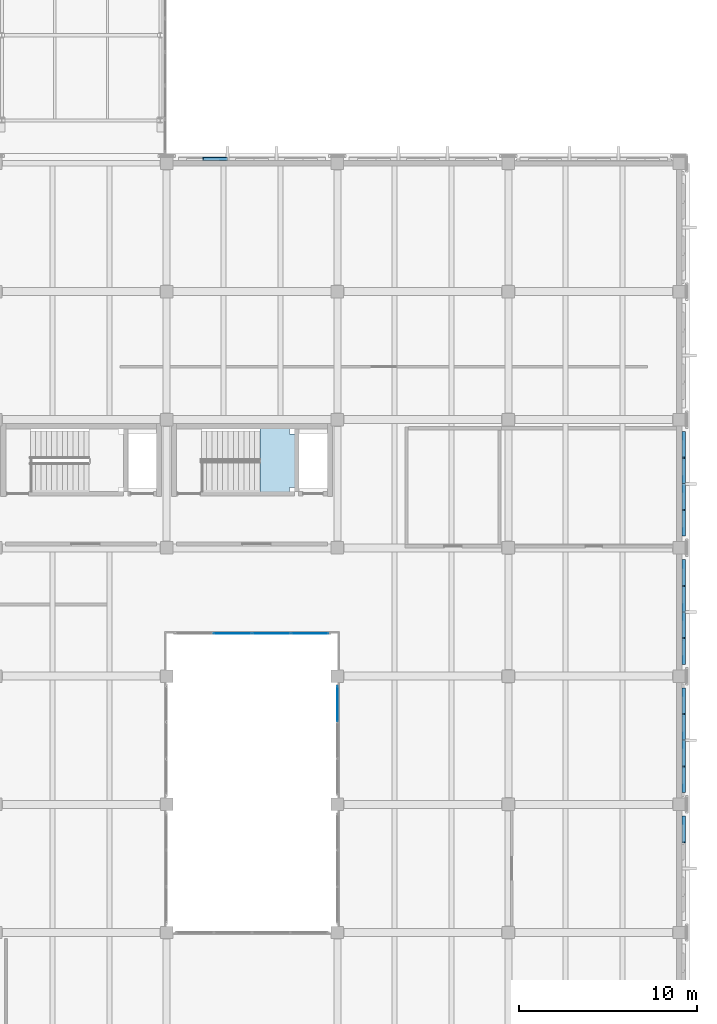
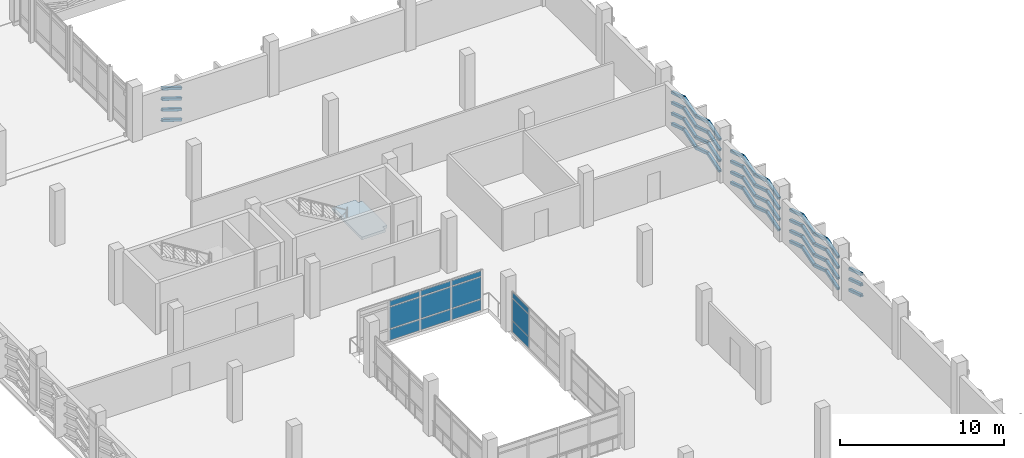
# One storey, part 146 of 180: 67 plates, 1 slab, 3 elements without a shape of their own.
"""IFC4 building model written with IfcOpenShell, lengths in metres."""

from ifc_helpers import new_model, si_unit, direction, frame, origin, origin_2d, place, context, subcontext, project, spatial, polyline, rectangle, hollow_rectangle, outline, extrude, material, layer, layer_set, material_profile, profile_set, type_object, element, aggregate, save


model = new_model("IFC4")

# Units and contexts
model_context = context("Model", 3, precision=1e-05, world=origin(), true_north=direction((0.0, 1.0)))
body_context = subcontext(model_context, "Body", "Model", "MODEL_VIEW")
ifc_project = project(units=[si_unit("LENGTHUNIT", "METRE"), si_unit("AREAUNIT", "SQUARE_METRE"), si_unit("VOLUMEUNIT", "CUBIC_METRE"), si_unit("PLANEANGLEUNIT", "RADIAN"), si_unit("MASSUNIT", "GRAM", prefix="KILO")], contexts=[model_context])

# Site, building, storey
site_placement = place(None, origin())
site = spatial("IfcSite", under=ifc_project, at=site_placement, CompositionType="ELEMENT")
building_placement = place(site_placement, origin())
building = spatial("IfcBuilding", under=site, at=building_placement, Name="Asteropetra Specialist Clinic", CompositionType="ELEMENT")
storey_placement = place(building_placement, frame((0.0, 0.0, 4.419921875)))
storey = spatial("IfcBuildingStorey", under=building, at=storey_placement, Name="L01", CompositionType="ELEMENT", Elevation=4.419921875)

# Plates
ifc_material_1 = material(Name="Chevron emerald aluminium 6063-T6", Category="aluminium")
ifc_material_profile = material_profile(ifc_material_1, hollow_rectangle(XDim=0.199951171875, YDim=0.199951171875, WallThickness=0.010009765625, InnerFilletRadius=0.008056640625, OuterFilletRadius=0.01611328125, at=origin_2d()), Name="SHS 200x200x10.0")
ifc_profile_set = profile_set([ifc_material_profile], Name="Chevron emerald aluminium 6063-T6")
plate_type_1 = type_object("IfcPlateType", Name="CHV-RIB-200", PredefinedType="SHEET", material=ifc_profile_set)
for number, where, z_axis, x_axis, name in (
    (1, (128.203369140625, 62.6494140625, 0.050048828125), (-0.952436086829, 0.0, 0.304738413241), (0.0, -1.0, 0.0), "Chevron Facade Screen Fin CVR-2088"),
    (2, (128.203369140625, 62.6494140625, 0.820068359375), (-0.952436086829, 0.0, 0.304738413241), (0.0, -1.0, 0.0), "Chevron Facade Screen Fin CVR-2090"),
    (3, (128.203369140625, 62.6494140625, 1.6201171875), (-0.952436086829, 0.0, 0.304738413241), (0.0, -1.0, 0.0), "Chevron Facade Screen Fin CVR-2092"),
    (4, (128.203369140625, 62.6494140625, 2.400146484375), (-0.952436086829, 0.0, 0.304738413241), (0.0, -1.0, 0.0), "Chevron Facade Screen Fin CVR-2094"),
):
    element("IfcPlate", number, at=place(storey_placement, frame(where, z_axis=z_axis, x_axis=x_axis)), inside=storey, type_object=plate_type_1, Name=name, PredefinedType="SHEET", context=body_context, shape_type="SweptSolid", body=[
        extrude(hollow_rectangle(XDim=0.199951171875, YDim=0.199951171875, WallThickness=0.010009765625, InnerFilletRadius=0.008056640625, OuterFilletRadius=0.01611328125, at=origin_2d()), origin(), (0.0, 0.0, 1.0), 1.424560546875),
    ])
for number, where, z_axis, x_axis, name in (
    (5, (153.849609375, 24.264892578125, 1.281982421875), (0.0, 0.952521261695, -0.304472077568), (-1.0, 0.0, 0.0), "Chevron Facade Screen Fin CVR-2299"),
    (6, (153.849609375, 24.264892578125, 2.08203125), (0.0, 0.952521261695, -0.304472077568), (-1.0, 0.0, 0.0), "Chevron Facade Screen Fin CVR-2301"),
    (7, (153.849609375, 24.264892578125, 2.862060546875), (0.0, 0.952521261695, -0.304472077568), (-1.0, 0.0, 0.0), "Chevron Facade Screen Fin CVR-2303"),
):
    element("IfcPlate", number, at=place(storey_placement, frame(where, z_axis=z_axis, x_axis=x_axis)), inside=storey, type_object=plate_type_1, Name=name, PredefinedType="SHEET", context=body_context, shape_type="SweptSolid", body=[
        extrude(hollow_rectangle(XDim=0.199951171875, YDim=0.199951171875, WallThickness=0.010009765625, InnerFilletRadius=0.008056640625, OuterFilletRadius=0.01611328125, at=origin_2d()), origin(), (0.0, 0.0, 1.0), 1.51708984375),
    ])
plate_1_placement = place(storey_placement, frame((153.849609375, 27.090087890625, 0.050048828125), z_axis=(0.0, 0.952506339897, 0.304518755506), x_axis=(-1.0, 0.0, 0.0)))
element("IfcPlate", 8, at=plate_1_placement, inside=storey, type_object=plate_type_1, Name="Chevron Facade Screen Fin CVR-2320", PredefinedType="SHEET", context=body_context, shape_type="SweptSolid", body=[
    extrude(hollow_rectangle(XDim=0.199951171875, YDim=0.199951171875, WallThickness=0.010009765625, InnerFilletRadius=0.008056640625, OuterFilletRadius=0.01611328125, at=origin_2d()), origin(), (0.0, 0.0, 1.0), 1.516845703125),
])
plate_2_placement = place(storey_placement, frame((153.849609375, 28.534912109375, 0.511962890625), z_axis=(0.0, 0.952521261695, -0.304472077568), x_axis=(-1.0, 0.0, 0.0)))
element("IfcPlate", 9, at=plate_2_placement, inside=storey, type_object=plate_type_1, Name="Chevron Facade Screen Fin CVR-2321", PredefinedType="SHEET", context=body_context, shape_type="SweptSolid", body=[
    extrude(hollow_rectangle(XDim=0.199951171875, YDim=0.199951171875, WallThickness=0.010009765625, InnerFilletRadius=0.008056640625, OuterFilletRadius=0.01611328125, at=origin_2d()), origin(), (0.0, 0.0, 1.0), 1.51708984375),
])
plate_3_placement = place(storey_placement, frame((153.849609375, 27.090087890625, 0.820068359375), z_axis=(0.0, 0.952506339897, 0.304518755506), x_axis=(-1.0, 0.0, 0.0)))
element("IfcPlate", 10, at=plate_3_placement, inside=storey, type_object=plate_type_1, Name="Chevron Facade Screen Fin CVR-2322", PredefinedType="SHEET", context=body_context, shape_type="SweptSolid", body=[
    extrude(hollow_rectangle(XDim=0.199951171875, YDim=0.199951171875, WallThickness=0.010009765625, InnerFilletRadius=0.008056640625, OuterFilletRadius=0.01611328125, at=origin_2d()), origin(), (0.0, 0.0, 1.0), 1.516845703125),
])
plate_4_placement = place(storey_placement, frame((153.849609375, 28.534912109375, 1.281982421875), z_axis=(0.0, 0.952521261695, -0.304472077568), x_axis=(-1.0, 0.0, 0.0)))
element("IfcPlate", 11, at=plate_4_placement, inside=storey, type_object=plate_type_1, Name="Chevron Facade Screen Fin CVR-2323", PredefinedType="SHEET", context=body_context, shape_type="SweptSolid", body=[
    extrude(hollow_rectangle(XDim=0.199951171875, YDim=0.199951171875, WallThickness=0.010009765625, InnerFilletRadius=0.008056640625, OuterFilletRadius=0.01611328125, at=origin_2d()), origin(), (0.0, 0.0, 1.0), 1.51708984375),
])
plate_5_placement = place(storey_placement, frame((153.849609375, 27.090087890625, 1.6201171875), z_axis=(0.0, 0.952506339897, 0.304518755506), x_axis=(-1.0, 0.0, 0.0)))
element("IfcPlate", 12, at=plate_5_placement, inside=storey, type_object=plate_type_1, Name="Chevron Facade Screen Fin CVR-2324", PredefinedType="SHEET", context=body_context, shape_type="SweptSolid", body=[
    extrude(hollow_rectangle(XDim=0.199951171875, YDim=0.199951171875, WallThickness=0.010009765625, InnerFilletRadius=0.008056640625, OuterFilletRadius=0.01611328125, at=origin_2d()), origin(), (0.0, 0.0, 1.0), 1.516845703125),
])
plate_6_placement = place(storey_placement, frame((153.849609375, 28.534912109375, 2.08203125), z_axis=(0.0, 0.952521261695, -0.304472077568), x_axis=(-1.0, 0.0, 0.0)))
element("IfcPlate", 13, at=plate_6_placement, inside=storey, type_object=plate_type_1, Name="Chevron Facade Screen Fin CVR-2325", PredefinedType="SHEET", context=body_context, shape_type="SweptSolid", body=[
    extrude(hollow_rectangle(XDim=0.199951171875, YDim=0.199951171875, WallThickness=0.010009765625, InnerFilletRadius=0.008056640625, OuterFilletRadius=0.01611328125, at=origin_2d()), origin(), (0.0, 0.0, 1.0), 1.51708984375),
])
plate_7_placement = place(storey_placement, frame((153.849609375, 27.090087890625, 2.400146484375), z_axis=(0.0, 0.952506339897, 0.304518755506), x_axis=(-1.0, 0.0, 0.0)))
element("IfcPlate", 14, at=plate_7_placement, inside=storey, type_object=plate_type_1, Name="Chevron Facade Screen Fin CVR-2326", PredefinedType="SHEET", context=body_context, shape_type="SweptSolid", body=[
    extrude(hollow_rectangle(XDim=0.199951171875, YDim=0.199951171875, WallThickness=0.010009765625, InnerFilletRadius=0.008056640625, OuterFilletRadius=0.01611328125, at=origin_2d()), origin(), (0.0, 0.0, 1.0), 1.516845703125),
])
for number, where, z_axis, x_axis, name in (
    (15, (153.849609375, 28.534912109375, 2.862060546875), (0.0, 0.952521261695, -0.304472077568), (-1.0, 0.0, 0.0), "Chevron Facade Screen Fin CVR-2327"),
    (16, (153.849609375, 30.02001953125, 0.050048828125), (0.0, 0.952521261695, 0.304472077568), (-1.0, 0.0, 0.0), "Chevron Facade Screen Fin CVR-2328"),
):
    element("IfcPlate", number, at=place(storey_placement, frame(where, z_axis=z_axis, x_axis=x_axis)), inside=storey, type_object=plate_type_1, Name=name, PredefinedType="SHEET", context=body_context, shape_type="SweptSolid", body=[
        extrude(hollow_rectangle(XDim=0.199951171875, YDim=0.199951171875, WallThickness=0.010009765625, InnerFilletRadius=0.008056640625, OuterFilletRadius=0.01611328125, at=origin_2d()), origin(), (0.0, 0.0, 1.0), 1.51708984375),
    ])
plate_8_placement = place(storey_placement, frame((153.849609375, 31.465087890625, 0.511962890625), z_axis=(0.0, 0.952506339897, -0.304518755506), x_axis=(-1.0, 0.0, 0.0)))
element("IfcPlate", 17, at=plate_8_placement, inside=storey, type_object=plate_type_1, Name="Chevron Facade Screen Fin CVR-2329", PredefinedType="SHEET", context=body_context, shape_type="SweptSolid", body=[
    extrude(hollow_rectangle(XDim=0.199951171875, YDim=0.199951171875, WallThickness=0.010009765625, InnerFilletRadius=0.008056640625, OuterFilletRadius=0.01611328125, at=origin_2d()), origin(), (0.0, 0.0, 1.0), 1.516845703125),
])
plate_9_placement = place(storey_placement, frame((153.849609375, 30.02001953125, 0.820068359375), z_axis=(0.0, 0.952521261695, 0.304472077568), x_axis=(-1.0, 0.0, 0.0)))
element("IfcPlate", 18, at=plate_9_placement, inside=storey, type_object=plate_type_1, Name="Chevron Facade Screen Fin CVR-2330", PredefinedType="SHEET", context=body_context, shape_type="SweptSolid", body=[
    extrude(hollow_rectangle(XDim=0.199951171875, YDim=0.199951171875, WallThickness=0.010009765625, InnerFilletRadius=0.008056640625, OuterFilletRadius=0.01611328125, at=origin_2d()), origin(), (0.0, 0.0, 1.0), 1.51708984375),
])
plate_10_placement = place(storey_placement, frame((153.849609375, 31.465087890625, 1.281982421875), z_axis=(0.0, 0.952506339897, -0.304518755506), x_axis=(-1.0, 0.0, 0.0)))
element("IfcPlate", 19, at=plate_10_placement, inside=storey, type_object=plate_type_1, Name="Chevron Facade Screen Fin CVR-2331", PredefinedType="SHEET", context=body_context, shape_type="SweptSolid", body=[
    extrude(hollow_rectangle(XDim=0.199951171875, YDim=0.199951171875, WallThickness=0.010009765625, InnerFilletRadius=0.008056640625, OuterFilletRadius=0.01611328125, at=origin_2d()), origin(), (0.0, 0.0, 1.0), 1.516845703125),
])
plate_11_placement = place(storey_placement, frame((153.849609375, 30.02001953125, 1.6201171875), z_axis=(0.0, 0.952521261695, 0.304472077568), x_axis=(-1.0, 0.0, 0.0)))
element("IfcPlate", 20, at=plate_11_placement, inside=storey, type_object=plate_type_1, Name="Chevron Facade Screen Fin CVR-2332", PredefinedType="SHEET", context=body_context, shape_type="SweptSolid", body=[
    extrude(hollow_rectangle(XDim=0.199951171875, YDim=0.199951171875, WallThickness=0.010009765625, InnerFilletRadius=0.008056640625, OuterFilletRadius=0.01611328125, at=origin_2d()), origin(), (0.0, 0.0, 1.0), 1.51708984375),
])
plate_12_placement = place(storey_placement, frame((153.849609375, 31.465087890625, 2.08203125), z_axis=(0.0, 0.952506339897, -0.304518755506), x_axis=(-1.0, 0.0, 0.0)))
element("IfcPlate", 21, at=plate_12_placement, inside=storey, type_object=plate_type_1, Name="Chevron Facade Screen Fin CVR-2333", PredefinedType="SHEET", context=body_context, shape_type="SweptSolid", body=[
    extrude(hollow_rectangle(XDim=0.199951171875, YDim=0.199951171875, WallThickness=0.010009765625, InnerFilletRadius=0.008056640625, OuterFilletRadius=0.01611328125, at=origin_2d()), origin(), (0.0, 0.0, 1.0), 1.516845703125),
])
plate_13_placement = place(storey_placement, frame((153.849609375, 30.02001953125, 2.400146484375), z_axis=(0.0, 0.952521261695, 0.304472077568), x_axis=(-1.0, 0.0, 0.0)))
element("IfcPlate", 22, at=plate_13_placement, inside=storey, type_object=plate_type_1, Name="Chevron Facade Screen Fin CVR-2334", PredefinedType="SHEET", context=body_context, shape_type="SweptSolid", body=[
    extrude(hollow_rectangle(XDim=0.199951171875, YDim=0.199951171875, WallThickness=0.010009765625, InnerFilletRadius=0.008056640625, OuterFilletRadius=0.01611328125, at=origin_2d()), origin(), (0.0, 0.0, 1.0), 1.51708984375),
])
plate_14_placement = place(storey_placement, frame((153.849609375, 31.465087890625, 2.862060546875), z_axis=(0.0, 0.952506339897, -0.304518755506), x_axis=(-1.0, 0.0, 0.0)))
element("IfcPlate", 23, at=plate_14_placement, inside=storey, type_object=plate_type_1, Name="Chevron Facade Screen Fin CVR-2335", PredefinedType="SHEET", context=body_context, shape_type="SweptSolid", body=[
    extrude(hollow_rectangle(XDim=0.199951171875, YDim=0.199951171875, WallThickness=0.010009765625, InnerFilletRadius=0.008056640625, OuterFilletRadius=0.01611328125, at=origin_2d()), origin(), (0.0, 0.0, 1.0), 1.516845703125),
])
plate_15_placement = place(storey_placement, frame((153.849609375, 34.2900390625, 0.050048828125), z_axis=(0.0, 0.952521261695, 0.304472077568), x_axis=(-1.0, 0.0, 0.0)))
element("IfcPlate", 24, at=plate_15_placement, inside=storey, type_object=plate_type_1, Name="Chevron Facade Screen Fin CVR-2352", PredefinedType="SHEET", context=body_context, shape_type="SweptSolid", body=[
    extrude(hollow_rectangle(XDim=0.199951171875, YDim=0.199951171875, WallThickness=0.010009765625, InnerFilletRadius=0.008056640625, OuterFilletRadius=0.01611328125, at=origin_2d()), origin(), (0.0, 0.0, 1.0), 1.51708984375),
])
plate_16_placement = place(storey_placement, frame((153.849609375, 35.735107421875, 0.511962890625), z_axis=(0.0, 0.952506339897, -0.304518755506), x_axis=(-1.0, 0.0, 0.0)))
element("IfcPlate", 25, at=plate_16_placement, inside=storey, type_object=plate_type_1, Name="Chevron Facade Screen Fin CVR-2353", PredefinedType="SHEET", context=body_context, shape_type="SweptSolid", body=[
    extrude(hollow_rectangle(XDim=0.199951171875, YDim=0.199951171875, WallThickness=0.010009765625, InnerFilletRadius=0.008056640625, OuterFilletRadius=0.01611328125, at=origin_2d()), origin(), (0.0, 0.0, 1.0), 1.516845703125),
])
plate_17_placement = place(storey_placement, frame((153.849609375, 34.2900390625, 0.820068359375), z_axis=(0.0, 0.952521261695, 0.304472077568), x_axis=(-1.0, 0.0, 0.0)))
element("IfcPlate", 26, at=plate_17_placement, inside=storey, type_object=plate_type_1, Name="Chevron Facade Screen Fin CVR-2354", PredefinedType="SHEET", context=body_context, shape_type="SweptSolid", body=[
    extrude(hollow_rectangle(XDim=0.199951171875, YDim=0.199951171875, WallThickness=0.010009765625, InnerFilletRadius=0.008056640625, OuterFilletRadius=0.01611328125, at=origin_2d()), origin(), (0.0, 0.0, 1.0), 1.51708984375),
])
plate_18_placement = place(storey_placement, frame((153.849609375, 35.735107421875, 1.281982421875), z_axis=(0.0, 0.952506339897, -0.304518755506), x_axis=(-1.0, 0.0, 0.0)))
element("IfcPlate", 27, at=plate_18_placement, inside=storey, type_object=plate_type_1, Name="Chevron Facade Screen Fin CVR-2355", PredefinedType="SHEET", context=body_context, shape_type="SweptSolid", body=[
    extrude(hollow_rectangle(XDim=0.199951171875, YDim=0.199951171875, WallThickness=0.010009765625, InnerFilletRadius=0.008056640625, OuterFilletRadius=0.01611328125, at=origin_2d()), origin(), (0.0, 0.0, 1.0), 1.516845703125),
])
plate_19_placement = place(storey_placement, frame((153.849609375, 34.2900390625, 1.6201171875), z_axis=(0.0, 0.952521261695, 0.304472077568), x_axis=(-1.0, 0.0, 0.0)))
element("IfcPlate", 28, at=plate_19_placement, inside=storey, type_object=plate_type_1, Name="Chevron Facade Screen Fin CVR-2356", PredefinedType="SHEET", context=body_context, shape_type="SweptSolid", body=[
    extrude(hollow_rectangle(XDim=0.199951171875, YDim=0.199951171875, WallThickness=0.010009765625, InnerFilletRadius=0.008056640625, OuterFilletRadius=0.01611328125, at=origin_2d()), origin(), (0.0, 0.0, 1.0), 1.51708984375),
])
plate_20_placement = place(storey_placement, frame((153.849609375, 35.735107421875, 2.08203125), z_axis=(0.0, 0.952506339897, -0.304518755506), x_axis=(-1.0, 0.0, 0.0)))
element("IfcPlate", 29, at=plate_20_placement, inside=storey, type_object=plate_type_1, Name="Chevron Facade Screen Fin CVR-2357", PredefinedType="SHEET", context=body_context, shape_type="SweptSolid", body=[
    extrude(hollow_rectangle(XDim=0.199951171875, YDim=0.199951171875, WallThickness=0.010009765625, InnerFilletRadius=0.008056640625, OuterFilletRadius=0.01611328125, at=origin_2d()), origin(), (0.0, 0.0, 1.0), 1.516845703125),
])
plate_21_placement = place(storey_placement, frame((153.849609375, 34.2900390625, 2.400146484375), z_axis=(0.0, 0.952521261695, 0.304472077568), x_axis=(-1.0, 0.0, 0.0)))
element("IfcPlate", 30, at=plate_21_placement, inside=storey, type_object=plate_type_1, Name="Chevron Facade Screen Fin CVR-2358", PredefinedType="SHEET", context=body_context, shape_type="SweptSolid", body=[
    extrude(hollow_rectangle(XDim=0.199951171875, YDim=0.199951171875, WallThickness=0.010009765625, InnerFilletRadius=0.008056640625, OuterFilletRadius=0.01611328125, at=origin_2d()), origin(), (0.0, 0.0, 1.0), 1.51708984375),
])
plate_22_placement = place(storey_placement, frame((153.849609375, 35.735107421875, 2.862060546875), z_axis=(0.0, 0.952506339897, -0.304518755506), x_axis=(-1.0, 0.0, 0.0)))
element("IfcPlate", 31, at=plate_22_placement, inside=storey, type_object=plate_type_1, Name="Chevron Facade Screen Fin CVR-2359", PredefinedType="SHEET", context=body_context, shape_type="SweptSolid", body=[
    extrude(hollow_rectangle(XDim=0.199951171875, YDim=0.199951171875, WallThickness=0.010009765625, InnerFilletRadius=0.008056640625, OuterFilletRadius=0.01611328125, at=origin_2d()), origin(), (0.0, 0.0, 1.0), 1.516845703125),
])
for number, where, z_axis, x_axis, name in (
    (32, (153.849609375, 37.219970703125, 0.050048828125), (0.0, 0.952521261695, 0.304472077568), (-1.0, 0.0, 0.0), "Chevron Facade Screen Fin CVR-2360"),
    (33, (153.849609375, 38.6650390625, 0.511962890625), (0.0, 0.952521261695, -0.304472077568), (-1.0, 0.0, 0.0), "Chevron Facade Screen Fin CVR-2361"),
    (34, (153.849609375, 37.219970703125, 0.820068359375), (0.0, 0.952521261695, 0.304472077568), (-1.0, 0.0, 0.0), "Chevron Facade Screen Fin CVR-2362"),
    (35, (153.849609375, 38.6650390625, 1.281982421875), (0.0, 0.952521261695, -0.304472077568), (-1.0, 0.0, 0.0), "Chevron Facade Screen Fin CVR-2363"),
    (36, (153.849609375, 37.219970703125, 1.6201171875), (0.0, 0.952521261695, 0.304472077568), (-1.0, 0.0, 0.0), "Chevron Facade Screen Fin CVR-2364"),
    (37, (153.849609375, 38.6650390625, 2.08203125), (0.0, 0.952521261695, -0.304472077568), (-1.0, 0.0, 0.0), "Chevron Facade Screen Fin CVR-2365"),
    (38, (153.849609375, 37.219970703125, 2.400146484375), (0.0, 0.952521261695, 0.304472077568), (-1.0, 0.0, 0.0), "Chevron Facade Screen Fin CVR-2366"),
    (39, (153.849609375, 38.6650390625, 2.862060546875), (0.0, 0.952521261695, -0.304472077568), (-1.0, 0.0, 0.0), "Chevron Facade Screen Fin CVR-2367"),
    (40, (153.849609375, 41.489990234375, 0.050048828125), (0.0, 0.952521261695, 0.304472077568), (-1.0, 0.0, 0.0), "Chevron Facade Screen Fin CVR-2384"),
):
    element("IfcPlate", number, at=place(storey_placement, frame(where, z_axis=z_axis, x_axis=x_axis)), inside=storey, type_object=plate_type_1, Name=name, PredefinedType="SHEET", context=body_context, shape_type="SweptSolid", body=[
        extrude(hollow_rectangle(XDim=0.199951171875, YDim=0.199951171875, WallThickness=0.010009765625, InnerFilletRadius=0.008056640625, OuterFilletRadius=0.01611328125, at=origin_2d()), origin(), (0.0, 0.0, 1.0), 1.51708984375),
    ])
plate_23_placement = place(storey_placement, frame((153.849609375, 42.93505859375, 0.511962890625), z_axis=(0.0, 0.952506339897, -0.304518755506), x_axis=(-1.0, 0.0, 0.0)))
element("IfcPlate", 41, at=plate_23_placement, inside=storey, type_object=plate_type_1, Name="Chevron Facade Screen Fin CVR-2385", PredefinedType="SHEET", context=body_context, shape_type="SweptSolid", body=[
    extrude(hollow_rectangle(XDim=0.199951171875, YDim=0.199951171875, WallThickness=0.010009765625, InnerFilletRadius=0.008056640625, OuterFilletRadius=0.01611328125, at=origin_2d()), origin(), (0.0, 0.0, 1.0), 1.516845703125),
])
plate_24_placement = place(storey_placement, frame((153.849609375, 41.489990234375, 0.820068359375), z_axis=(0.0, 0.952521261695, 0.304472077568), x_axis=(-1.0, 0.0, 0.0)))
element("IfcPlate", 42, at=plate_24_placement, inside=storey, type_object=plate_type_1, Name="Chevron Facade Screen Fin CVR-2386", PredefinedType="SHEET", context=body_context, shape_type="SweptSolid", body=[
    extrude(hollow_rectangle(XDim=0.199951171875, YDim=0.199951171875, WallThickness=0.010009765625, InnerFilletRadius=0.008056640625, OuterFilletRadius=0.01611328125, at=origin_2d()), origin(), (0.0, 0.0, 1.0), 1.51708984375),
])
plate_25_placement = place(storey_placement, frame((153.849609375, 42.93505859375, 1.281982421875), z_axis=(0.0, 0.952506339897, -0.304518755506), x_axis=(-1.0, 0.0, 0.0)))
element("IfcPlate", 43, at=plate_25_placement, inside=storey, type_object=plate_type_1, Name="Chevron Facade Screen Fin CVR-2387", PredefinedType="SHEET", context=body_context, shape_type="SweptSolid", body=[
    extrude(hollow_rectangle(XDim=0.199951171875, YDim=0.199951171875, WallThickness=0.010009765625, InnerFilletRadius=0.008056640625, OuterFilletRadius=0.01611328125, at=origin_2d()), origin(), (0.0, 0.0, 1.0), 1.516845703125),
])
plate_26_placement = place(storey_placement, frame((153.849609375, 41.489990234375, 1.6201171875), z_axis=(0.0, 0.952521261695, 0.304472077568), x_axis=(-1.0, 0.0, 0.0)))
element("IfcPlate", 44, at=plate_26_placement, inside=storey, type_object=plate_type_1, Name="Chevron Facade Screen Fin CVR-2388", PredefinedType="SHEET", context=body_context, shape_type="SweptSolid", body=[
    extrude(hollow_rectangle(XDim=0.199951171875, YDim=0.199951171875, WallThickness=0.010009765625, InnerFilletRadius=0.008056640625, OuterFilletRadius=0.01611328125, at=origin_2d()), origin(), (0.0, 0.0, 1.0), 1.51708984375),
])
plate_27_placement = place(storey_placement, frame((153.849609375, 42.93505859375, 2.08203125), z_axis=(0.0, 0.952506339897, -0.304518755506), x_axis=(-1.0, 0.0, 0.0)))
element("IfcPlate", 45, at=plate_27_placement, inside=storey, type_object=plate_type_1, Name="Chevron Facade Screen Fin CVR-2389", PredefinedType="SHEET", context=body_context, shape_type="SweptSolid", body=[
    extrude(hollow_rectangle(XDim=0.199951171875, YDim=0.199951171875, WallThickness=0.010009765625, InnerFilletRadius=0.008056640625, OuterFilletRadius=0.01611328125, at=origin_2d()), origin(), (0.0, 0.0, 1.0), 1.516845703125),
])
plate_28_placement = place(storey_placement, frame((153.849609375, 41.489990234375, 2.400146484375), z_axis=(0.0, 0.952521261695, 0.304472077568), x_axis=(-1.0, 0.0, 0.0)))
element("IfcPlate", 46, at=plate_28_placement, inside=storey, type_object=plate_type_1, Name="Chevron Facade Screen Fin CVR-2390", PredefinedType="SHEET", context=body_context, shape_type="SweptSolid", body=[
    extrude(hollow_rectangle(XDim=0.199951171875, YDim=0.199951171875, WallThickness=0.010009765625, InnerFilletRadius=0.008056640625, OuterFilletRadius=0.01611328125, at=origin_2d()), origin(), (0.0, 0.0, 1.0), 1.51708984375),
])
plate_29_placement = place(storey_placement, frame((153.849609375, 42.93505859375, 2.862060546875), z_axis=(0.0, 0.952506339897, -0.304518755506), x_axis=(-1.0, 0.0, 0.0)))
element("IfcPlate", 47, at=plate_29_placement, inside=storey, type_object=plate_type_1, Name="Chevron Facade Screen Fin CVR-2391", PredefinedType="SHEET", context=body_context, shape_type="SweptSolid", body=[
    extrude(hollow_rectangle(XDim=0.199951171875, YDim=0.199951171875, WallThickness=0.010009765625, InnerFilletRadius=0.008056640625, OuterFilletRadius=0.01611328125, at=origin_2d()), origin(), (0.0, 0.0, 1.0), 1.516845703125),
])
for number, where, z_axis, x_axis, name in (
    (48, (153.849609375, 44.419921875, 0.050048828125), (0.0, 0.952521261695, 0.304472077568), (-1.0, 0.0, 0.0), "Chevron Facade Screen Fin CVR-2392"),
    (49, (153.849609375, 45.864990234375, 0.511962890625), (0.0, 0.952521261695, -0.304472077568), (-1.0, 0.0, 0.0), "Chevron Facade Screen Fin CVR-2393"),
    (50, (153.849609375, 44.419921875, 0.820068359375), (0.0, 0.952521261695, 0.304472077568), (-1.0, 0.0, 0.0), "Chevron Facade Screen Fin CVR-2394"),
    (51, (153.849609375, 45.864990234375, 1.281982421875), (0.0, 0.952521261695, -0.304472077568), (-1.0, 0.0, 0.0), "Chevron Facade Screen Fin CVR-2395"),
    (52, (153.849609375, 44.419921875, 1.6201171875), (0.0, 0.952521261695, 0.304472077568), (-1.0, 0.0, 0.0), "Chevron Facade Screen Fin CVR-2396"),
    (53, (153.849609375, 45.864990234375, 2.08203125), (0.0, 0.952521261695, -0.304472077568), (-1.0, 0.0, 0.0), "Chevron Facade Screen Fin CVR-2397"),
    (54, (153.849609375, 44.419921875, 2.400146484375), (0.0, 0.952521261695, 0.304472077568), (-1.0, 0.0, 0.0), "Chevron Facade Screen Fin CVR-2398"),
    (55, (153.849609375, 45.864990234375, 2.862060546875), (0.0, 0.952521261695, -0.304472077568), (-1.0, 0.0, 0.0), "Chevron Facade Screen Fin CVR-2399"),
):
    element("IfcPlate", number, at=place(storey_placement, frame(where, z_axis=z_axis, x_axis=x_axis)), inside=storey, type_object=plate_type_1, Name=name, PredefinedType="SHEET", context=body_context, shape_type="SweptSolid", body=[
        extrude(hollow_rectangle(XDim=0.199951171875, YDim=0.199951171875, WallThickness=0.010009765625, InnerFilletRadius=0.008056640625, OuterFilletRadius=0.01611328125, at=origin_2d()), origin(), (0.0, 0.0, 1.0), 1.51708984375),
    ])

# Curtain wall, plates
ifc_material_2 = material(Name="Aluminium and low-E glass", Category="aluminium")
ifc_layer_1 = layer(ifc_material_2, 0.135009765625)
ifc_layer_set_1 = layer_set([ifc_layer_1], Name="Aluminium and low-E glass")
curtain_wall_type_1 = type_object("IfcCurtainWallType", Name="CW-SYS-09", PredefinedType="USERDEFINED", material=ifc_layer_set_1)
curtain_wall_1_placement = place(storey_placement, origin())
curtain_wall_1 = element("IfcCurtainWall", 56, at=curtain_wall_1_placement, inside=storey, type_object=curtain_wall_type_1, Name="Curtain Wall CW-072", ObjectType="STICK GLAZED COLONNADE", PredefinedType="USERDEFINED")
ifc_material_3 = material(Name="Low-E double glazing", Category="glass")
ifc_layer_2 = layer(ifc_material_3, 0.028076171875)
ifc_layer_set_2 = layer_set([ifc_layer_2], Name="Low-E double glazing")
plate_type_2 = type_object("IfcPlateType", Name="CWP-GLZ-28", PredefinedType="CURTAIN_PANEL", material=ifc_layer_set_2)
plate_30_placement = place(storey_placement, frame((132.851318359375, 36.0, 0.074951171875), z_axis=(0.0, 0.0, 1.0), x_axis=(-1.0, 0.0, 0.0)))
plate_30 = element("IfcPlate", 57, at=plate_30_placement, type_object=plate_type_2, Name="CW-072 panel 1.1", PredefinedType="CURTAIN_PANEL", context=body_context, shape_type="SweptSolid", body=[
    extrude(rectangle(XDim=2.0673828125, YDim=0.028076171875, at=origin_2d()), origin(), (0.0, 0.0, 1.0), 0.78759765625),
])
plate_31_placement = place(storey_placement, frame((132.851318359375, 36.0, 0.9375), z_axis=(0.0, 0.0, 1.0), x_axis=(-1.0, 0.0, 0.0)))
plate_31 = element("IfcPlate", 58, at=plate_31_placement, type_object=plate_type_2, Name="CW-072 panel 1.2", PredefinedType="CURTAIN_PANEL", context=body_context, shape_type="SweptSolid", body=[
    extrude(rectangle(XDim=2.0673828125, YDim=0.028076171875, at=origin_2d()), origin(), (0.0, 0.0, 1.0), 1.5849609375),
])
plate_32_placement = place(storey_placement, frame((132.851318359375, 36.0, 2.59765625), z_axis=(0.0, 0.0, 1.0), x_axis=(-1.0, 0.0, 0.0)))
plate_32 = element("IfcPlate", 59, at=plate_32_placement, type_object=plate_type_2, Name="CW-072 panel 1.3", PredefinedType="CURTAIN_PANEL", context=body_context, shape_type="SweptSolid", body=[
    extrude(rectangle(XDim=2.0673828125, YDim=0.028076171875, at=origin_2d()), origin(), (0.0, 0.0, 1.0), 0.387451171875),
])
plate_33_placement = place(storey_placement, frame((130.68994140625, 36.0, 0.074951171875), z_axis=(0.0, 0.0, 1.0), x_axis=(-1.0, 0.0, 0.0)))
plate_33 = element("IfcPlate", 60, at=plate_33_placement, type_object=plate_type_2, Name="CW-072 panel 2.1", PredefinedType="CURTAIN_PANEL", context=body_context, shape_type="SweptSolid", body=[
    extrude(rectangle(XDim=2.10498046875, YDim=0.028076171875, at=origin_2d()), origin(), (0.0, 0.0, 1.0), 0.78759765625),
])
plate_34_placement = place(storey_placement, frame((130.68994140625, 36.0, 0.9375), z_axis=(0.0, 0.0, 1.0), x_axis=(-1.0, 0.0, 0.0)))
plate_34 = element("IfcPlate", 61, at=plate_34_placement, type_object=plate_type_2, Name="CW-072 panel 2.2", PredefinedType="CURTAIN_PANEL", context=body_context, shape_type="SweptSolid", body=[
    extrude(rectangle(XDim=2.10498046875, YDim=0.028076171875, at=origin_2d()), origin(), (0.0, 0.0, 1.0), 1.5849609375),
])
plate_35_placement = place(storey_placement, frame((130.68994140625, 36.0, 2.59765625), z_axis=(0.0, 0.0, 1.0), x_axis=(-1.0, 0.0, 0.0)))
plate_35 = element("IfcPlate", 62, at=plate_35_placement, type_object=plate_type_2, Name="CW-072 panel 2.3", PredefinedType="CURTAIN_PANEL", context=body_context, shape_type="SweptSolid", body=[
    extrude(rectangle(XDim=2.10498046875, YDim=0.028076171875, at=origin_2d()), origin(), (0.0, 0.0, 1.0), 0.387451171875),
])
plate_36_placement = place(storey_placement, frame((128.510009765625, 36.0, 0.074951171875), z_axis=(0.0, 0.0, 1.0), x_axis=(-1.0, 0.0, 0.0)))
plate_36 = element("IfcPlate", 63, at=plate_36_placement, type_object=plate_type_2, Name="CW-072 panel 3.1", PredefinedType="CURTAIN_PANEL", context=body_context, shape_type="SweptSolid", body=[
    extrude(rectangle(XDim=2.10498046875, YDim=0.028076171875, at=origin_2d()), origin(), (0.0, 0.0, 1.0), 0.78759765625),
])
plate_37_placement = place(storey_placement, frame((128.510009765625, 36.0, 0.9375), z_axis=(0.0, 0.0, 1.0), x_axis=(-1.0, 0.0, 0.0)))
plate_37 = element("IfcPlate", 64, at=plate_37_placement, type_object=plate_type_2, Name="CW-072 panel 3.2", PredefinedType="CURTAIN_PANEL", context=body_context, shape_type="SweptSolid", body=[
    extrude(rectangle(XDim=2.10498046875, YDim=0.028076171875, at=origin_2d()), origin(), (0.0, 0.0, 1.0), 1.5849609375),
])
plate_38_placement = place(storey_placement, frame((128.510009765625, 36.0, 2.59765625), z_axis=(0.0, 0.0, 1.0), x_axis=(-1.0, 0.0, 0.0)))
plate_38 = element("IfcPlate", 65, at=plate_38_placement, type_object=plate_type_2, Name="CW-072 panel 3.3", PredefinedType="CURTAIN_PANEL", context=body_context, shape_type="SweptSolid", body=[
    extrude(rectangle(XDim=2.10498046875, YDim=0.028076171875, at=origin_2d()), origin(), (0.0, 0.0, 1.0), 0.387451171875),
])
aggregate(curtain_wall_1, [plate_30, plate_31, plate_32, plate_33, plate_34, plate_35, plate_36, plate_37, plate_38])

ifc_material_4 = material(Name="Aluminium and low-E glass", Category="aluminium")
ifc_layer_3 = layer(ifc_material_4, 0.135009765625)
ifc_layer_set_3 = layer_set([ifc_layer_3], Name="Aluminium and low-E glass")
curtain_wall_type_2 = type_object("IfcCurtainWallType", Name="CW-SYS-12", PredefinedType="USERDEFINED", material=ifc_layer_set_3)
curtain_wall_2_placement = place(storey_placement, origin())
curtain_wall_2 = element("IfcCurtainWall", 66, at=curtain_wall_2_placement, inside=storey, type_object=curtain_wall_type_2, Name="Curtain Wall CW-076", ObjectType="STICK GLAZED COLONNADE", PredefinedType="USERDEFINED")
plate_39_placement = place(storey_placement, frame((134.39990234375, 32.043701171875, 0.06494140625), z_axis=(0.0, 0.0, 1.0), x_axis=(0.0, 1.0, 0.0)))
plate_39 = element("IfcPlate", 67, at=plate_39_placement, type_object=plate_type_2, Name="CW-076 panel 3.1", PredefinedType="CURTAIN_PANEL", context=body_context, shape_type="SweptSolid", body=[
    extrude(rectangle(XDim=1.96240234375, YDim=0.028076171875, at=origin_2d()), origin(), (0.0, 0.0, 1.0), 0.802490234375),
])
plate_40_placement = place(storey_placement, frame((134.39990234375, 32.043701171875, 0.9326171875), z_axis=(0.0, 0.0, 1.0), x_axis=(0.0, 1.0, 0.0)))
plate_40 = element("IfcPlate", 68, at=plate_40_placement, type_object=plate_type_2, Name="CW-076 panel 3.2", PredefinedType="CURTAIN_PANEL", context=body_context, shape_type="SweptSolid", body=[
    extrude(rectangle(XDim=1.96240234375, YDim=0.028076171875, at=origin_2d()), origin(), (0.0, 0.0, 1.0), 1.594970703125),
])
plate_41_placement = place(storey_placement, frame((134.39990234375, 32.043701171875, 2.5927734375), z_axis=(0.0, 0.0, 1.0), x_axis=(0.0, 1.0, 0.0)))
plate_41 = element("IfcPlate", 69, at=plate_41_placement, type_object=plate_type_2, Name="CW-076 panel 3.3", PredefinedType="CURTAIN_PANEL", context=body_context, shape_type="SweptSolid", body=[
    extrude(rectangle(XDim=1.96240234375, YDim=0.028076171875, at=origin_2d()), origin(), (0.0, 0.0, 1.0), 0.402587890625),
])
aggregate(curtain_wall_2, [plate_39, plate_40, plate_41])

# Stair, slab
ifc_material_5 = material(Name="Concrete C35/45", Category="concrete")
stair_type = type_object("IfcStairType", Name="STR-DOG-165", PredefinedType="TWO_STRAIGHT_RUN_STAIR", material=ifc_material_5)
stair_placement = place(storey_placement, origin())
stair = element("IfcStair", 70, at=stair_placement, inside=storey, type_object=stair_type, Name="Type I Stair ST09-L01", PredefinedType="TWO_STRAIGHT_RUN_STAIR")
ifc_material_6 = material(Name="Concrete C35/45", Category="concrete")
ifc_layer_4 = layer(ifc_material_6, 0.199951171875)
ifc_layer_set_4 = layer_set([ifc_layer_4], Name="Concrete C35/45")
slab_type = type_object("IfcSlabType", Name="SLB-LND-200", PredefinedType="LANDING", material=ifc_layer_set_4)
slab_placement = place(storey_placement, frame((0.0, 0.0, 1.840087890625)))
slab = element("IfcSlab", 71, at=slab_placement, type_object=slab_type, Name="ST09-L01 landing 1", PredefinedType="LANDING", context=body_context, shape_type="SweptSolid", body=[
    extrude(outline(polyline([(130.050048828125, 43.8701171875), (131.699951171875, 43.8701171875), (131.699951171875, 44.18994140625), (132.02001953125, 44.18994140625), (132.02001953125, 47.18994140625), (131.699951171875, 47.18994140625), (131.699951171875, 47.510009765625), (130.050048828125, 47.510009765625), (130.050048828125, 43.8701171875)])), origin(), (0.0, 0.0, 1.0), 0.199951171875),
])
aggregate(stair, [slab])

save(model, "model.ifc")
